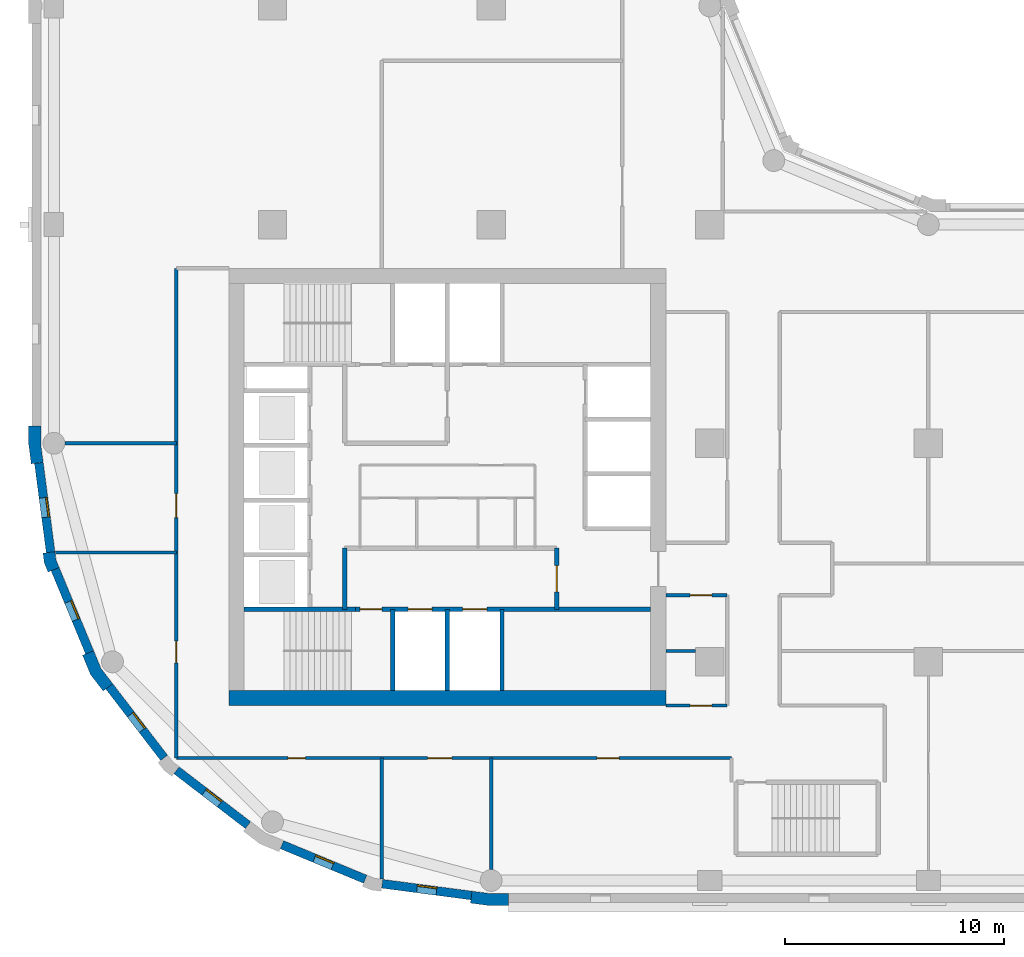
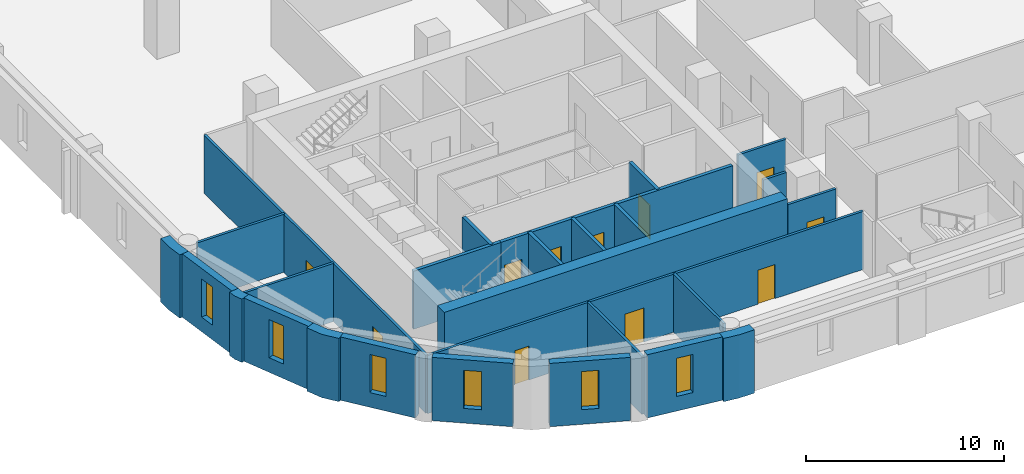
# One storey, part 2 of 9: 27 walls, 11 doors, 6 windows, 17 openings.
"""IFC4 building model written with IfcOpenShell, lengths in metres."""

from ifc_helpers import new_model, si_unit, direction, frame, frame_2d, origin, place, context, subcontext, project, spatial, polyline, rectangle, outline, extrude, material, layer, layer_set, type_object, element, fill, save


model = new_model("IFC4")

# Units and contexts
model_context = context("Model", 3, precision=1e-05, world=origin(), true_north=direction((0.0, 1.0)))
body_context = subcontext(model_context, "Body", "Model", "MODEL_VIEW")
ifc_project = project(units=[si_unit("LENGTHUNIT", "METRE"), si_unit("AREAUNIT", "SQUARE_METRE"), si_unit("VOLUMEUNIT", "CUBIC_METRE"), si_unit("PLANEANGLEUNIT", "RADIAN"), si_unit("MASSUNIT", "GRAM", prefix="KILO")], contexts=[model_context])

# Site, building, storey
site_placement = place(None, origin())
site = spatial("IfcSite", under=ifc_project, at=site_placement, CompositionType="ELEMENT")
building_placement = place(site_placement, origin())
building = spatial("IfcBuilding", under=site, at=building_placement, Name="Qaws Garden Tower", CompositionType="ELEMENT")
storey_placement = place(building_placement, frame((0.0, 0.0, 194.10009765625)))
storey = spatial("IfcBuildingStorey", under=building, at=storey_placement, Name="L47", CompositionType="ELEMENT", Elevation=194.10009765625)

# Wall, opening, window
ifc_material_1 = material(Name="Clay facing brick masonry", Category="masonry")
ifc_layer_1 = layer(ifc_material_1, 0.39990234375)
ifc_layer_set_1 = layer_set([ifc_layer_1], Name="Clay facing brick masonry")
wall_type_1 = type_object("IfcWallType", Name="Brick infill wall 400", PredefinedType="SOLIDWALL", material=ifc_layer_set_1)
wall_1_placement = place(storey_placement, frame((-0.688720703125, 19.102294921875, 0.0), z_axis=(0.0, 0.0, 1.0), x_axis=(0.130514280502, -0.991446429508, 0.0)))
wall_1 = element("IfcWall", 1, at=wall_1_placement, inside=storey, type_object=wall_type_1, Name="E-L47-infill-25", PredefinedType="SOLIDWALL", context=body_context, shape_type="SweptSolid", body=[
    extrude(rectangle(XDim=4.120849609375, YDim=0.39990234375, at=frame_2d((2.060546875, 0.0))), origin(), (0.0, 0.0, 1.0), 3.89990234375),
])
opening_1_placement = place(wall_1_placement, frame((1.610595703125, 0.0, 0.89990234375)))
opening_1 = element("IfcOpeningElement", 2, at=opening_1_placement, cuts=wall_1, Name="Opening W09", PredefinedType="OPENING", context=body_context, shape_type="SweptSolid", body=[
    extrude(rectangle(XDim=0.89990234375, YDim=2.35009765625, at=frame_2d((0.449951171875, 1.175048828125))), frame((0.0, 0.2099609375, 0.0), z_axis=(0.0, -1.0, 0.0), x_axis=(1.0, 0.0, 0.0)), (0.0, 0.0, 1.0), 0.419921875),
])
ifc_material_2 = material(Name="Aluminium framed window, clear glazing", Category="aluminium")
window_type = type_object("IfcWindowType", Name="Slit window 900 x 2350", PartitioningType="SINGLE_PANEL", PredefinedType="WINDOW", material=ifc_material_2)
window_1_placement = place(opening_1_placement, origin())
window_1 = element("IfcWindow", 3, at=window_1_placement, inside=storey, type_object=window_type, Name="E-L47-window-25-0", OverallHeight=2.35009765625, OverallWidth=0.89990234375, PartitioningType="SINGLE_PANEL", PredefinedType="WINDOW", context=body_context, shape_type="SweptSolid", body=[
    extrude(rectangle(XDim=0.89990234375, YDim=2.35009765625, at=frame_2d((0.449951171875, 1.175048828125))), frame((0.0, 0.159912109375, 0.0), z_axis=(0.0, -1.0, 0.0), x_axis=(1.0, 0.0, 0.0)), (0.0, 0.0, 1.0), 0.06005859375),
])
fill(opening_1, window_1)

wall_2_placement = place(storey_placement, frame((0.05712890625, 14.240234375, 0.0), z_axis=(0.0, 0.0, 1.0), x_axis=(0.382721546029, -0.923863744394, 0.0)))
wall_2 = element("IfcWall", 4, at=wall_2_placement, inside=storey, type_object=wall_type_1, Name="E-L47-infill-26", PredefinedType="SOLIDWALL", context=body_context, shape_type="SweptSolid", body=[
    extrude(rectangle(XDim=4.120849609375, YDim=0.39990234375, at=frame_2d((2.060546875, 0.0))), origin(), (0.0, 0.0, 1.0), 3.89990234375),
])
opening_2_placement = place(wall_2_placement, frame((1.610595703125, 0.0, 0.89990234375)))
opening_2 = element("IfcOpeningElement", 5, at=opening_2_placement, cuts=wall_2, Name="Opening W09", PredefinedType="OPENING", context=body_context, shape_type="SweptSolid", body=[
    extrude(rectangle(XDim=0.89990234375, YDim=2.35009765625, at=frame_2d((0.449951171875, 1.175048828125))), frame((0.0, 0.2099609375, 0.0), z_axis=(0.0, -1.0, 0.0), x_axis=(1.0, 0.0, 0.0)), (0.0, 0.0, 1.0), 0.419921875),
])
window_2_placement = place(opening_2_placement, origin())
window_2 = element("IfcWindow", 6, at=window_2_placement, inside=storey, type_object=window_type, Name="E-L47-window-26-0", OverallHeight=2.35009765625, OverallWidth=0.89990234375, PartitioningType="SINGLE_PANEL", PredefinedType="WINDOW", context=body_context, shape_type="SweptSolid", body=[
    extrude(rectangle(XDim=0.89990234375, YDim=2.35009765625, at=frame_2d((0.449951171875, 1.175048828125))), frame((0.0, 0.159912109375, 0.0), z_axis=(0.0, -1.0, 0.0), x_axis=(1.0, 0.0, 0.0)), (0.0, 0.0, 1.0), 0.06005859375),
])
fill(opening_2, window_2)

wall_3_placement = place(storey_placement, frame((2.53173828125, 8.87841796875, 0.0), z_axis=(0.0, 0.0, 1.0), x_axis=(0.608759824817, -0.793354571229, 0.0)))
wall_3 = element("IfcWall", 7, at=wall_3_placement, inside=storey, type_object=wall_type_1, Name="E-L47-infill-27", PredefinedType="SOLIDWALL", context=body_context, shape_type="SweptSolid", body=[
    extrude(rectangle(XDim=4.12109375, YDim=0.39990234375, at=frame_2d((2.060546875, 0.0))), origin(), (0.0, 0.0, 1.0), 3.89990234375),
])
opening_3_placement = place(wall_3_placement, frame((1.610595703125, 0.0, 0.89990234375)))
opening_3 = element("IfcOpeningElement", 8, at=opening_3_placement, cuts=wall_3, Name="Opening W09", PredefinedType="OPENING", context=body_context, shape_type="SweptSolid", body=[
    extrude(rectangle(XDim=0.89990234375, YDim=2.35009765625, at=frame_2d((0.449951171875, 1.175048828125))), frame((0.0, 0.2099609375, 0.0), z_axis=(0.0, -1.0, 0.0), x_axis=(1.0, 0.0, 0.0)), (0.0, 0.0, 1.0), 0.419921875),
])
window_3_placement = place(opening_3_placement, origin())
window_3 = element("IfcWindow", 9, at=window_3_placement, inside=storey, type_object=window_type, Name="E-L47-window-27-0", OverallHeight=2.35009765625, OverallWidth=0.89990234375, PartitioningType="SINGLE_PANEL", PredefinedType="WINDOW", context=body_context, shape_type="SweptSolid", body=[
    extrude(rectangle(XDim=0.89990234375, YDim=2.35009765625, at=frame_2d((0.449951171875, 1.175048828125))), frame((0.0, 0.159912109375, 0.0), z_axis=(0.0, -1.0, 0.0), x_axis=(1.0, 0.0, 0.0)), (0.0, 0.0, 1.0), 0.06005859375),
])
fill(opening_3, window_3)

wall_4_placement = place(storey_placement, frame((5.60888671875, 5.04052734375, 0.0), z_axis=(0.0, 0.0, 1.0), x_axis=(0.793354571229, -0.608759824817, 0.0)))
wall_4 = element("IfcWall", 10, at=wall_4_placement, inside=storey, type_object=wall_type_1, Name="E-L47-infill-28", PredefinedType="SOLIDWALL", context=body_context, shape_type="SweptSolid", body=[
    extrude(rectangle(XDim=4.12109375, YDim=0.39990234375, at=frame_2d((2.060546875, 0.0))), origin(), (0.0, 0.0, 1.0), 3.89990234375),
])
opening_4_placement = place(wall_4_placement, frame((1.610595703125, 0.0, 0.89990234375)))
opening_4 = element("IfcOpeningElement", 11, at=opening_4_placement, cuts=wall_4, Name="Opening W09", PredefinedType="OPENING", context=body_context, shape_type="SweptSolid", body=[
    extrude(rectangle(XDim=0.89990234375, YDim=2.35009765625, at=frame_2d((0.449951171875, 1.175048828125))), frame((0.0, 0.2099609375, 0.0), z_axis=(0.0, -1.0, 0.0), x_axis=(1.0, 0.0, 0.0)), (0.0, 0.0, 1.0), 0.419921875),
])
window_4_placement = place(opening_4_placement, origin())
window_4 = element("IfcWindow", 12, at=window_4_placement, inside=storey, type_object=window_type, Name="E-L47-window-28-0", OverallHeight=2.35009765625, OverallWidth=0.89990234375, PartitioningType="SINGLE_PANEL", PredefinedType="WINDOW", context=body_context, shape_type="SweptSolid", body=[
    extrude(rectangle(XDim=0.89990234375, YDim=2.35009765625, at=frame_2d((0.449951171875, 1.175048828125))), frame((0.0, 0.159912109375, 0.0), z_axis=(0.0, -1.0, 0.0), x_axis=(1.0, 0.0, 0.0)), (0.0, 0.0, 1.0), 0.06005859375),
])
fill(opening_4, window_4)

wall_5_placement = place(storey_placement, frame((10.43310546875, 1.63427734375, 0.0), z_axis=(0.0, 0.0, 1.0), x_axis=(0.923863744394, -0.382721546029, 0.0)))
wall_5 = element("IfcWall", 13, at=wall_5_placement, inside=storey, type_object=wall_type_1, Name="E-L47-infill-29", PredefinedType="SOLIDWALL", context=body_context, shape_type="SweptSolid", body=[
    extrude(rectangle(XDim=4.120849609375, YDim=0.39990234375, at=frame_2d((2.060546875, 0.0))), origin(), (0.0, 0.0, 1.0), 3.89990234375),
])
opening_5_placement = place(wall_5_placement, frame((1.610595703125, 0.0, 0.89990234375)))
opening_5 = element("IfcOpeningElement", 14, at=opening_5_placement, cuts=wall_5, Name="Opening W09", PredefinedType="OPENING", context=body_context, shape_type="SweptSolid", body=[
    extrude(rectangle(XDim=0.89990234375, YDim=2.35009765625, at=frame_2d((0.449951171875, 1.175048828125))), frame((0.0, 0.2099609375, 0.0), z_axis=(0.0, -1.0, 0.0), x_axis=(1.0, 0.0, 0.0)), (0.0, 0.0, 1.0), 0.419921875),
])
window_5_placement = place(opening_5_placement, origin())
window_5 = element("IfcWindow", 15, at=window_5_placement, inside=storey, type_object=window_type, Name="E-L47-window-29-0", OverallHeight=2.35009765625, OverallWidth=0.89990234375, PartitioningType="SINGLE_PANEL", PredefinedType="WINDOW", context=body_context, shape_type="SweptSolid", body=[
    extrude(rectangle(XDim=0.89990234375, YDim=2.35009765625, at=frame_2d((0.449951171875, 1.175048828125))), frame((0.0, 0.159912109375, 0.0), z_axis=(0.0, -1.0, 0.0), x_axis=(1.0, 0.0, 0.0)), (0.0, 0.0, 1.0), 0.06005859375),
])
fill(opening_5, window_5)

wall_6_placement = place(storey_placement, frame((15.0166015625, -0.15087890625, 0.0), z_axis=(0.0, 0.0, 1.0), x_axis=(0.991446429508, -0.130514280502, 0.0)))
wall_6 = element("IfcWall", 16, at=wall_6_placement, inside=storey, type_object=wall_type_1, Name="E-L47-infill-30", PredefinedType="SOLIDWALL", context=body_context, shape_type="SweptSolid", body=[
    extrude(rectangle(XDim=4.120849609375, YDim=0.39990234375, at=frame_2d((2.060546875, 0.0))), origin(), (0.0, 0.0, 1.0), 3.89990234375),
])
opening_6_placement = place(wall_6_placement, frame((1.610595703125, 0.0, 0.89990234375)))
opening_6 = element("IfcOpeningElement", 17, at=opening_6_placement, cuts=wall_6, Name="Opening W09", PredefinedType="OPENING", context=body_context, shape_type="SweptSolid", body=[
    extrude(rectangle(XDim=0.89990234375, YDim=2.35009765625, at=frame_2d((0.449951171875, 1.175048828125))), frame((0.0, 0.2099609375, 0.0), z_axis=(0.0, -1.0, 0.0), x_axis=(1.0, 0.0, 0.0)), (0.0, 0.0, 1.0), 0.419921875),
])
window_6_placement = place(opening_6_placement, origin())
window_6 = element("IfcWindow", 18, at=window_6_placement, inside=storey, type_object=window_type, Name="E-L47-window-30-0", OverallHeight=2.35009765625, OverallWidth=0.89990234375, PartitioningType="SINGLE_PANEL", PredefinedType="WINDOW", context=body_context, shape_type="SweptSolid", body=[
    extrude(rectangle(XDim=0.89990234375, YDim=2.35009765625, at=frame_2d((0.449951171875, 1.175048828125))), frame((0.0, 0.159912109375, 0.0), z_axis=(0.0, -1.0, 0.0), x_axis=(1.0, 0.0, 0.0)), (0.0, 0.0, 1.0), 0.06005859375),
])
fill(opening_6, window_6)

# Walls
ifc_material_3 = material(Name="Clay facing brick masonry", Category="masonry")
ifc_layer_2 = layer(ifc_material_3, 0.550048828125)
ifc_layer_set_2 = layer_set([ifc_layer_2], Name="Clay facing brick masonry")
wall_type_2 = type_object("IfcWallType", Name="Brick kink pier 550 x 600", PredefinedType="SOLIDWALL", material=ifc_layer_set_2)
placement = place(storey_placement, origin())
element("IfcWall", 19, at=placement, inside=storey, type_object=wall_type_2, Name="E-L47-pier-26", PredefinedType="SOLIDWALL", context=body_context, shape_type="SweptSolid", body=[
    extrude(outline(polyline([(-0.34912109375, 14.990478515625), (-0.497802734375, 14.970947265625), (-0.43896484375, 14.5234375), (-0.26611328125, 14.1064453125), (-0.127685546875, 14.163818359375), (0.241943359375, 14.31689453125), (0.096923828125, 14.6669921875), (0.04736328125, 15.042724609375), (-0.34912109375, 14.990478515625)])), origin(), (0.0, 0.0, 1.0), 3.89990234375),
])
ifc_material_4 = material(Name="Clay facing brick masonry", Category="masonry")
ifc_layer_3 = layer(ifc_material_4, 0.550048828125)
ifc_layer_set_3 = layer_set([ifc_layer_3], Name="Clay facing brick masonry")
wall_type_3 = type_object("IfcWallType", Name="Brick pier 550 x 1600", PredefinedType="SOLIDWALL", material=ifc_layer_set_3)
element("IfcWall", 20, at=placement, inside=storey, type_object=wall_type_3, Name="E-L47-pier-00", PredefinedType="SOLIDWALL", context=body_context, shape_type="SweptSolid", body=[
    extrude(outline(polyline([(19.076416015625, -0.886962890625), (19.056640625, -1.03564453125), (19.924560546875, -1.14990234375), (20.800048828125, -1.14990234375), (20.800048828125, -1.0), (20.800048828125, -0.60009765625), (19.960693359375, -0.60009765625), (19.12841796875, -0.490478515625), (19.076416015625, -0.886962890625)])), origin(), (0.0, 0.0, 1.0), 3.89990234375),
])
element("IfcWall", 21, at=placement, inside=storey, type_object=wall_type_3, Name="E-L47-pier-25", PredefinedType="SOLIDWALL", context=body_context, shape_type="SweptSolid", body=[
    extrude(outline(polyline([(-1.0, 20.800048828125), (-1.14990234375, 20.800048828125), (-1.14990234375, 19.924560546875), (-1.03564453125, 19.056640625), (-0.886962890625, 19.076416015625), (-0.490478515625, 19.12841796875), (-0.60009765625, 19.960693359375), (-0.60009765625, 20.800048828125), (-1.0, 20.800048828125)])), origin(), (0.0, 0.0, 1.0), 3.89990234375),
])
element("IfcWall", 22, at=placement, inside=storey, type_object=wall_type_3, Name="E-L47-pier-27", PredefinedType="SOLIDWALL", context=body_context, shape_type="SweptSolid", body=[
    extrude(outline(polyline([(1.449462890625, 10.3564453125), (1.310791015625, 10.299072265625), (1.675048828125, 9.419921875), (2.254150390625, 8.665283203125), (2.373046875, 8.756591796875), (2.6904296875, 9.0), (2.1552734375, 9.697509765625), (1.819091796875, 10.509521484375), (1.449462890625, 10.3564453125)])), origin(), (0.0, 0.0, 1.0), 3.89990234375),
])
ifc_material_5 = material(Name="Concrete C70", Category="concrete")
ifc_layer_4 = layer(ifc_material_5, 0.199951171875)
ifc_layer_set_4 = layer_set([ifc_layer_4], Name="Concrete C70")
wall_type_4 = type_object("IfcWallType", Name="Core shaft wall 200 C70", PredefinedType="SHEAR", material=ifc_layer_set_4)
wall_11_placement = place(storey_placement, frame((8.699951171875, 12.39990234375, 0.0), z_axis=(0.0, 0.0, 1.0), x_axis=(1.0, 0.0, 0.0)))
element("IfcWall", 23, at=wall_11_placement, inside=storey, type_object=wall_type_4, Name="Shaft wall", PredefinedType="SHEAR", context=body_context, shape_type="SweptSolid", body=[
    extrude(rectangle(XDim=5.10009765625, YDim=0.199951171875, at=frame_2d((2.550048828125, 0.0))), origin(), (0.0, 0.0, 1.0), 3.579833984375),
])

# Wall, openings, doors
wall_12_placement = place(storey_placement, frame((13.800048828125, 12.39990234375, 0.0), z_axis=(0.0, 0.0, 1.0), x_axis=(1.0, 0.0, 0.0)))
wall_12 = element("IfcWall", 24, at=wall_12_placement, inside=storey, type_object=wall_type_4, Name="Shaft wall", PredefinedType="SHEAR", context=body_context, shape_type="SweptSolid", body=[
    extrude(rectangle(XDim=13.5, YDim=0.199951171875, at=frame_2d((6.75, 0.0))), origin(), (0.0, 0.0, 1.0), 3.579833984375),
])
opening_7_placement = place(wall_12_placement, frame((2.39990234375, 0.0, 0.0)))
opening_7 = element("IfcOpeningElement", 25, at=opening_7_placement, cuts=wall_12, Name="Opening LD06", PredefinedType="OPENING", context=body_context, shape_type="SweptSolid", body=[
    extrude(rectangle(XDim=1.10009765625, YDim=2.10009765625, at=frame_2d((0.550048828125, 1.050048828125))), frame((0.0, 0.10986328125, 0.0), z_axis=(0.0, -1.0, 0.0), x_axis=(1.0, 0.0, 0.0)), (0.0, 0.0, 1.0), 0.219970703125),
])
opening_8_placement = place(wall_12_placement, frame((4.89990234375, 0.0, 0.0)))
opening_8 = element("IfcOpeningElement", 26, at=opening_8_placement, cuts=wall_12, Name="Opening LD07", PredefinedType="OPENING", context=body_context, shape_type="SweptSolid", body=[
    extrude(rectangle(XDim=1.10009765625, YDim=2.10009765625, at=frame_2d((0.550048828125, 1.050048828125))), frame((0.0, 0.10986328125, 0.0), z_axis=(0.0, -1.0, 0.0), x_axis=(1.0, 0.0, 0.0)), (0.0, 0.0, 1.0), 0.219970703125),
])
opening_9_placement = place(wall_12_placement, frame((0.199951171875, 0.0, 0.0)))
opening_9 = element("IfcOpeningElement", 27, at=opening_9_placement, cuts=wall_12, Name="Opening SD10", PredefinedType="OPENING", context=body_context, shape_type="SweptSolid", body=[
    extrude(rectangle(XDim=1.0, YDim=2.10009765625, at=frame_2d((0.5, 1.050048828125))), frame((0.0, 0.10986328125, 0.0), z_axis=(0.0, -1.0, 0.0), x_axis=(1.0, 0.0, 0.0)), (0.0, 0.0, 1.0), 0.219970703125),
])
ifc_material_6 = material(Name="Steel S235", Category="steel")
door_type_1 = type_object("IfcDoorType", Name="Landing door 1100x2100", OperationType="DOUBLE_DOOR_SLIDING", PredefinedType="DOOR", material=ifc_material_6)
door_1_placement = place(opening_7_placement, origin())
door_1 = element("IfcDoor", 28, at=door_1_placement, inside=storey, type_object=door_type_1, Name="Lift FF1 landing door", OperationType="DOUBLE_DOOR_SLIDING", OverallHeight=2.10009765625, OverallWidth=1.10009765625, PredefinedType="DOOR", context=body_context, shape_type="SweptSolid", body=[
    extrude(rectangle(XDim=1.10009765625, YDim=2.10009765625, at=frame_2d((0.550048828125, 1.050048828125))), frame((0.0, 0.02490234375, 0.0), z_axis=(0.0, -1.0, 0.0), x_axis=(1.0, 0.0, 0.0)), (0.0, 0.0, 1.0), 0.050048828125),
])
fill(opening_7, door_1)
door_2_placement = place(opening_8_placement, origin())
door_2 = element("IfcDoor", 29, at=door_2_placement, inside=storey, type_object=door_type_1, Name="Lift FF2 landing door", OperationType="DOUBLE_DOOR_SLIDING", OverallHeight=2.10009765625, OverallWidth=1.10009765625, PredefinedType="DOOR", context=body_context, shape_type="SweptSolid", body=[
    extrude(rectangle(XDim=1.10009765625, YDim=2.10009765625, at=frame_2d((0.550048828125, 1.050048828125))), frame((0.0, 0.02490234375, 0.0), z_axis=(0.0, -1.0, 0.0), x_axis=(1.0, 0.0, 0.0)), (0.0, 0.0, 1.0), 0.050048828125),
])
fill(opening_8, door_2)
ifc_material_7 = material(Name="Steel S235", Category="steel")
door_type_2 = type_object("IfcDoorType", Name="Stair door 1000x2100", OperationType="SINGLE_SWING_RIGHT", PredefinedType="DOOR", material=ifc_material_7)
door_3_placement = place(opening_9_placement, frame((1.0, 0.0, 0.0), z_axis=(0.0, 0.0, 1.0), x_axis=(-1.0, 0.0, 0.0)))
door_3 = element("IfcDoor", 30, at=door_3_placement, inside=storey, type_object=door_type_2, Name="Stair 1 door", OperationType="SINGLE_SWING_LEFT", OverallHeight=2.10009765625, OverallWidth=1.0, PredefinedType="DOOR", context=body_context, shape_type="SweptSolid", body=[
    extrude(rectangle(XDim=1.0, YDim=2.10009765625, at=frame_2d((0.5, 1.050048828125))), frame((0.0, 0.02490234375, 0.0), z_axis=(0.0, -1.0, 0.0), x_axis=(1.0, 0.0, 0.0)), (0.0, 0.0, 1.0), 0.050048828125),
])
fill(opening_9, door_3)

# Walls
wall_13_placement = place(storey_placement, frame((13.300048828125, 12.39990234375, 0.0), z_axis=(0.0, 0.0, 1.0), x_axis=(0.0, 1.0, 0.0)))
element("IfcWall", 31, at=wall_13_placement, inside=storey, type_object=wall_type_4, Name="Shaft wall", PredefinedType="SHEAR", context=body_context, shape_type="SweptSolid", body=[
    extrude(rectangle(XDim=2.800048828125, YDim=0.199951171875, at=frame_2d((1.39990234375, 0.0))), origin(), (0.0, 0.0, 1.0), 3.579833984375),
])
for number, where, z_axis, x_axis, name in (
    (32, (15.5, 8.699951171875, 0.0), (0.0, 0.0, 1.0), (0.0, 1.0, 0.0), "Shaft wall"),
    (33, (18.0, 8.699951171875, 0.0), (0.0, 0.0, 1.0), (0.0, 1.0, 0.0), "Shaft wall"),
    (34, (20.5, 8.699951171875, 0.0), (0.0, 0.0, 1.0), (0.0, 1.0, 0.0), "Shaft wall"),
):
    element("IfcWall", number, at=place(storey_placement, frame(where, z_axis=z_axis, x_axis=x_axis)), inside=storey, type_object=wall_type_4, Name=name, PredefinedType="SHEAR", context=body_context, shape_type="SweptSolid", body=[
        extrude(rectangle(XDim=3.699951171875, YDim=0.199951171875, at=frame_2d((1.85009765625, 0.0))), origin(), (0.0, 0.0, 1.0), 3.579833984375),
    ])

# Wall, opening, door
wall_14_placement = place(storey_placement, frame((23.0, 12.39990234375, 0.0), z_axis=(0.0, 0.0, 1.0), x_axis=(0.0, 1.0, 0.0)))
wall_14 = element("IfcWall", 35, at=wall_14_placement, inside=storey, type_object=wall_type_4, Name="Shaft wall", PredefinedType="SHEAR", context=body_context, shape_type="SweptSolid", body=[
    extrude(rectangle(XDim=2.800048828125, YDim=0.199951171875, at=frame_2d((1.39990234375, 0.0))), origin(), (0.0, 0.0, 1.0), 3.579833984375),
])
opening_10_placement = place(wall_14_placement, frame((0.800048828125, 0.0, 0.0)))
opening_10 = element("IfcOpeningElement", 36, at=opening_10_placement, cuts=wall_14, Name="Opening FD15", PredefinedType="OPENING", context=body_context, shape_type="SweptSolid", body=[
    extrude(rectangle(XDim=1.199951171875, YDim=2.10009765625, at=frame_2d((0.60009765625, 1.050048828125))), frame((0.0, 0.10986328125, 0.0), z_axis=(0.0, -1.0, 0.0), x_axis=(1.0, 0.0, 0.0)), (0.0, 0.0, 1.0), 0.219970703125),
])
ifc_material_8 = material(Name="Steel S235", Category="steel")
door_type_3 = type_object("IfcDoorType", Name="Lobby door 1200x2100", OperationType="DOUBLE_DOOR_SINGLE_SWING", PredefinedType="DOOR", material=ifc_material_8)
door_4_placement = place(opening_10_placement, origin())
door_4 = element("IfcDoor", 37, at=door_4_placement, inside=storey, type_object=door_type_3, Name="Fire-fighting lobby door", OperationType="DOUBLE_DOOR_SINGLE_SWING", OverallHeight=2.10009765625, OverallWidth=1.199951171875, PredefinedType="DOOR", context=body_context, shape_type="SweptSolid", body=[
    extrude(rectangle(XDim=1.199951171875, YDim=2.10009765625, at=frame_2d((0.60009765625, 1.050048828125))), frame((0.0, 0.02490234375, 0.0), z_axis=(0.0, -1.0, 0.0), x_axis=(1.0, 0.0, 0.0)), (0.0, 0.0, 1.0), 0.050048828125),
])
fill(opening_10, door_4)

# Wall
ifc_material_9 = material(Name="Concrete C70", Category="concrete")
ifc_layer_5 = layer(ifc_material_9, 0.699951171875)
ifc_layer_set_5 = layer_set([ifc_layer_5], Name="Concrete C70")
wall_type_5 = type_object("IfcWallType", Name="Core wall 700 C70", PredefinedType="SHEAR", material=ifc_layer_set_5)
wall_15_placement = place(storey_placement, frame((8.0, 8.35009765625, 0.0), z_axis=(0.0, 0.0, 1.0), x_axis=(1.0, 0.0, 0.0)))
element("IfcWall", 38, at=wall_15_placement, inside=storey, type_object=wall_type_5, Name="Core wall L47 south", PredefinedType="SHEAR", context=body_context, shape_type="SweptSolid", body=[
    extrude(rectangle(XDim=20.0, YDim=0.699951171875, at=frame_2d((10.0, 0.0))), origin(), (0.0, 0.0, 1.0), 3.89990234375),
])

# Wall, openings, doors
ifc_material_10 = material(Name="Gypsum board partition")
ifc_layer_6 = layer(ifc_material_10, 0.14990234375)
ifc_layer_set_6 = layer_set([ifc_layer_6], Name="Gypsum board partition")
wall_type_6 = type_object("IfcWallType", Name="PARTITION 150 EI 60", PredefinedType="PARTITIONING", material=ifc_layer_set_6)
wall_16_placement = place(storey_placement, frame((5.60009765625, 5.60009765625, 0.0), z_axis=(0.0, 0.0, 1.0), x_axis=(0.0, 1.0, 0.0)))
wall_16 = element("IfcWall", 39, at=wall_16_placement, inside=storey, type_object=wall_type_6, Name="O-L47-wall-004", PredefinedType="PARTITIONING", context=body_context, shape_type="SweptSolid", body=[
    extrude(rectangle(XDim=22.39990234375, YDim=0.14990234375, at=frame_2d((11.199951171875, 0.0))), origin(), (0.0, 0.0, 1.0), 3.579833984375),
])
opening_11_placement = place(wall_16_placement, frame((4.35009765625, 0.0, 0.0)))
opening_11 = element("IfcOpeningElement", 40, at=opening_11_placement, cuts=wall_16, Name="Opening B601", PredefinedType="OPENING", context=body_context, shape_type="SweptSolid", body=[
    extrude(rectangle(XDim=1.0, YDim=2.10009765625, at=frame_2d((0.5, 1.050048828125))), frame((0.0, 0.0849609375, 0.0), z_axis=(0.0, -1.0, 0.0), x_axis=(1.0, 0.0, 0.0)), (0.0, 0.0, 1.0), 0.169921875),
])
opening_12_placement = place(wall_16_placement, frame((11.0, 0.0, 0.0)))
opening_12 = element("IfcOpeningElement", 41, at=opening_12_placement, cuts=wall_16, Name="Opening B602", PredefinedType="OPENING", context=body_context, shape_type="SweptSolid", body=[
    extrude(rectangle(XDim=1.10009765625, YDim=2.10009765625, at=frame_2d((0.550048828125, 1.050048828125))), frame((0.0, 0.0849609375, 0.0), z_axis=(0.0, -1.0, 0.0), x_axis=(1.0, 0.0, 0.0)), (0.0, 0.0, 1.0), 0.169921875),
])
ifc_material_11 = material(Name="Timber door leaf", Category="wood")
door_type_4 = type_object("IfcDoorType", Name="SERVICE ROOM DOOR 1100 X 2100", OperationType="SINGLE_SWING_LEFT", PredefinedType="DOOR", material=ifc_material_11)
door_5_placement = place(opening_12_placement, origin())
door_5 = element("IfcDoor", 42, at=door_5_placement, inside=storey, type_object=door_type_4, Name="O-L47-door-002", OperationType="SINGLE_SWING_RIGHT", OverallHeight=2.10009765625, OverallWidth=1.10009765625, PredefinedType="DOOR", context=body_context, shape_type="SweptSolid", body=[
    extrude(rectangle(XDim=1.10009765625, YDim=2.10009765625, at=frame_2d((0.550048828125, 1.050048828125))), frame((0.0, 0.02490234375, 0.0), z_axis=(0.0, -1.0, 0.0), x_axis=(1.0, 0.0, 0.0)), (0.0, 0.0, 1.0), 0.050048828125),
])
fill(opening_12, door_5)
ifc_material_12 = material(Name="Timber door leaf", Category="wood")
door_type_5 = type_object("IfcDoorType", Name="TENANCY ENTRANCE DOOR 1000 X 2100", OperationType="SINGLE_SWING_LEFT", PredefinedType="DOOR", material=ifc_material_12)
door_6_placement = place(opening_11_placement, origin())
door_6 = element("IfcDoor", 43, at=door_6_placement, inside=storey, type_object=door_type_5, Name="O-L47-door-001", OperationType="SINGLE_SWING_RIGHT", OverallHeight=2.10009765625, OverallWidth=1.0, PredefinedType="DOOR", context=body_context, shape_type="SweptSolid", body=[
    extrude(rectangle(XDim=1.0, YDim=2.10009765625, at=frame_2d((0.5, 1.050048828125))), frame((0.0, 0.02490234375, 0.0), z_axis=(0.0, -1.0, 0.0), x_axis=(1.0, 0.0, 0.0)), (0.0, 0.0, 1.0), 0.050048828125),
])
fill(opening_11, door_6)

# Walls
wall_17_placement = place(storey_placement, frame((15.0, 0.06298828125, 0.0), z_axis=(0.0, 0.0, 1.0), x_axis=(0.0, 1.0, 0.0)))
element("IfcWall", 44, at=wall_17_placement, inside=storey, type_object=wall_type_6, Name="O-L47-wall-007", PredefinedType="PARTITIONING", context=body_context, shape_type="SweptSolid", body=[
    extrude(rectangle(XDim=5.537109375, YDim=0.14990234375, at=frame_2d((2.7685546875, 0.0))), origin(), (0.0, 0.0, 1.0), 3.579833984375),
])
wall_18_placement = place(storey_placement, frame((20.0, 0.5, 0.0), z_axis=(0.0, 0.0, 1.0), x_axis=(0.0, 1.0, 0.0)))
element("IfcWall", 45, at=wall_18_placement, inside=storey, type_object=wall_type_6, Name="O-L47-wall-011", PredefinedType="PARTITIONING", context=body_context, shape_type="SweptSolid", body=[
    extrude(rectangle(XDim=5.10009765625, YDim=0.14990234375, at=frame_2d((2.550048828125, 0.0))), origin(), (0.0, 0.0, 1.0), 3.579833984375),
])

# Wall, openings, doors
wall_19_placement = place(storey_placement, frame((5.60009765625, 5.60009765625, 0.0), z_axis=(0.0, 0.0, 1.0), x_axis=(1.0, 0.0, 0.0)))
wall_19 = element("IfcWall", 46, at=wall_19_placement, inside=storey, type_object=wall_type_6, Name="O-L47-wall-027", PredefinedType="PARTITIONING", context=body_context, shape_type="SweptSolid", body=[
    extrude(rectangle(XDim=25.39990234375, YDim=0.14990234375, at=frame_2d((12.699951171875, 0.0))), origin(), (0.0, 0.0, 1.0), 3.579833984375),
])
opening_13_placement = place(wall_19_placement, frame((5.10009765625, 0.0, 0.0)))
opening_13 = element("IfcOpeningElement", 47, at=opening_13_placement, cuts=wall_19, Name="Opening B611", PredefinedType="OPENING", context=body_context, shape_type="SweptSolid", body=[
    extrude(rectangle(XDim=0.800048828125, YDim=2.10009765625, at=frame_2d((0.39990234375, 1.050048828125))), frame((0.0, 0.0849609375, 0.0), z_axis=(0.0, -1.0, 0.0), x_axis=(1.0, 0.0, 0.0)), (0.0, 0.0, 1.0), 0.169921875),
])
opening_14_placement = place(wall_19_placement, frame((11.5, 0.0, 0.0)))
opening_14 = element("IfcOpeningElement", 48, at=opening_14_placement, cuts=wall_19, Name="Opening B614", PredefinedType="OPENING", context=body_context, shape_type="SweptSolid", body=[
    extrude(rectangle(XDim=1.10009765625, YDim=2.10009765625, at=frame_2d((0.550048828125, 1.050048828125))), frame((0.0, 0.0849609375, 0.0), z_axis=(0.0, -1.0, 0.0), x_axis=(1.0, 0.0, 0.0)), (0.0, 0.0, 1.0), 0.169921875),
])
opening_15_placement = place(wall_19_placement, frame((19.25, 0.0, 0.0)))
opening_15 = element("IfcOpeningElement", 49, at=opening_15_placement, cuts=wall_19, Name="Opening B620", PredefinedType="OPENING", context=body_context, shape_type="SweptSolid", body=[
    extrude(rectangle(XDim=1.0, YDim=2.10009765625, at=frame_2d((0.5, 1.050048828125))), frame((0.0, 0.0849609375, 0.0), z_axis=(0.0, -1.0, 0.0), x_axis=(1.0, 0.0, 0.0)), (0.0, 0.0, 1.0), 0.169921875),
])
door_7_placement = place(opening_14_placement, frame((1.10009765625, 0.0, 0.0), z_axis=(0.0, 0.0, 1.0), x_axis=(-1.0, 0.0, 0.0)))
door_7 = element("IfcDoor", 50, at=door_7_placement, inside=storey, type_object=door_type_4, Name="O-L47-door-014", OperationType="SINGLE_SWING_LEFT", OverallHeight=2.10009765625, OverallWidth=1.10009765625, PredefinedType="DOOR", context=body_context, shape_type="SweptSolid", body=[
    extrude(rectangle(XDim=1.10009765625, YDim=2.10009765625, at=frame_2d((0.550048828125, 1.050048828125))), frame((0.0, 0.02490234375, 0.0), z_axis=(0.0, -1.0, 0.0), x_axis=(1.0, 0.0, 0.0)), (0.0, 0.0, 1.0), 0.050048828125),
])
fill(opening_14, door_7)
ifc_material_13 = material(Name="Timber door leaf", Category="wood")
door_type_6 = type_object("IfcDoorType", Name="STORE DOOR 800 X 2100", OperationType="SINGLE_SWING_LEFT", PredefinedType="DOOR", material=ifc_material_13)
door_8_placement = place(opening_13_placement, frame((0.800048828125, 0.0, 0.0), z_axis=(0.0, 0.0, 1.0), x_axis=(-1.0, 0.0, 0.0)))
door_8 = element("IfcDoor", 51, at=door_8_placement, inside=storey, type_object=door_type_6, Name="O-L47-door-011", OperationType="SINGLE_SWING_LEFT", OverallHeight=2.10009765625, OverallWidth=0.800048828125, PredefinedType="DOOR", context=body_context, shape_type="SweptSolid", body=[
    extrude(rectangle(XDim=0.800048828125, YDim=2.10009765625, at=frame_2d((0.39990234375, 1.050048828125))), frame((0.0, 0.02490234375, 0.0), z_axis=(0.0, -1.0, 0.0), x_axis=(1.0, 0.0, 0.0)), (0.0, 0.0, 1.0), 0.050048828125),
])
fill(opening_13, door_8)
door_9_placement = place(opening_15_placement, frame((1.0, 0.0, 0.0), z_axis=(0.0, 0.0, 1.0), x_axis=(-1.0, 0.0, 0.0)))
door_9 = element("IfcDoor", 52, at=door_9_placement, inside=storey, type_object=door_type_5, Name="O-L47-door-020", OperationType="SINGLE_SWING_LEFT", OverallHeight=2.10009765625, OverallWidth=1.0, PredefinedType="DOOR", context=body_context, shape_type="SweptSolid", body=[
    extrude(rectangle(XDim=1.0, YDim=2.10009765625, at=frame_2d((0.5, 1.050048828125))), frame((0.0, 0.02490234375, 0.0), z_axis=(0.0, -1.0, 0.0), x_axis=(1.0, 0.0, 0.0)), (0.0, 0.0, 1.0), 0.050048828125),
])
fill(opening_15, door_9)

# Wall, opening, door
wall_20_placement = place(storey_placement, frame((28.0, 8.0, 0.0), z_axis=(0.0, 0.0, 1.0), x_axis=(1.0, 0.0, 0.0)))
wall_20 = element("IfcWall", 53, at=wall_20_placement, inside=storey, type_object=wall_type_6, Name="O-L47-wall-028", PredefinedType="PARTITIONING", context=body_context, shape_type="SweptSolid", body=[
    extrude(rectangle(XDim=2.800048828125, YDim=0.14990234375, at=frame_2d((1.39990234375, 0.0))), origin(), (0.0, 0.0, 1.0), 3.579833984375),
])
opening_16_placement = place(wall_20_placement, frame((1.10009765625, 0.0, 0.0)))
opening_16 = element("IfcOpeningElement", 54, at=opening_16_placement, cuts=wall_20, Name="Opening B603", PredefinedType="OPENING", context=body_context, shape_type="SweptSolid", body=[
    extrude(rectangle(XDim=1.0, YDim=2.10009765625, at=frame_2d((0.5, 1.050048828125))), frame((0.0, 0.0849609375, 0.0), z_axis=(0.0, -1.0, 0.0), x_axis=(1.0, 0.0, 0.0)), (0.0, 0.0, 1.0), 0.169921875),
])
door_10_placement = place(opening_16_placement, origin())
door_10 = element("IfcDoor", 55, at=door_10_placement, inside=storey, type_object=door_type_5, Name="O-L47-door-003", OperationType="SINGLE_SWING_RIGHT", OverallHeight=2.10009765625, OverallWidth=1.0, PredefinedType="DOOR", context=body_context, shape_type="SweptSolid", body=[
    extrude(rectangle(XDim=1.0, YDim=2.10009765625, at=frame_2d((0.5, 1.050048828125))), frame((0.0, 0.02490234375, 0.0), z_axis=(0.0, -1.0, 0.0), x_axis=(1.0, 0.0, 0.0)), (0.0, 0.0, 1.0), 0.050048828125),
])
fill(opening_16, door_10)

# Wall
wall_21_placement = place(storey_placement, frame((28.0, 10.5, 0.0), z_axis=(0.0, 0.0, 1.0), x_axis=(1.0, 0.0, 0.0)))
element("IfcWall", 56, at=wall_21_placement, inside=storey, type_object=wall_type_6, Name="O-L47-wall-030", PredefinedType="PARTITIONING", context=body_context, shape_type="SweptSolid", body=[
    extrude(rectangle(XDim=1.35009765625, YDim=0.14990234375, at=frame_2d((0.675048828125, 0.0))), origin(), (0.0, 0.0, 1.0), 3.579833984375),
])

# Wall, opening, door
wall_22_placement = place(storey_placement, frame((28.0, 13.050048828125, 0.0), z_axis=(0.0, 0.0, 1.0), x_axis=(1.0, 0.0, 0.0)))
wall_22 = element("IfcWall", 57, at=wall_22_placement, inside=storey, type_object=wall_type_6, Name="O-L47-wall-033", PredefinedType="PARTITIONING", context=body_context, shape_type="SweptSolid", body=[
    extrude(rectangle(XDim=2.800048828125, YDim=0.14990234375, at=frame_2d((1.39990234375, 0.0))), origin(), (0.0, 0.0, 1.0), 3.579833984375),
])
opening_17_placement = place(wall_22_placement, frame((1.10009765625, 0.0, 0.0)))
opening_17 = element("IfcOpeningElement", 58, at=opening_17_placement, cuts=wall_22, Name="Opening B619", PredefinedType="OPENING", context=body_context, shape_type="SweptSolid", body=[
    extrude(rectangle(XDim=1.0, YDim=2.10009765625, at=frame_2d((0.5, 1.050048828125))), frame((0.0, 0.0849609375, 0.0), z_axis=(0.0, -1.0, 0.0), x_axis=(1.0, 0.0, 0.0)), (0.0, 0.0, 1.0), 0.169921875),
])
door_11_placement = place(opening_17_placement, frame((1.0, 0.0, 0.0), z_axis=(0.0, 0.0, 1.0), x_axis=(-1.0, 0.0, 0.0)))
door_11 = element("IfcDoor", 59, at=door_11_placement, inside=storey, type_object=door_type_5, Name="O-L47-door-019", OperationType="SINGLE_SWING_LEFT", OverallHeight=2.10009765625, OverallWidth=1.0, PredefinedType="DOOR", context=body_context, shape_type="SweptSolid", body=[
    extrude(rectangle(XDim=1.0, YDim=2.10009765625, at=frame_2d((0.5, 1.050048828125))), frame((0.0, 0.02490234375, 0.0), z_axis=(0.0, -1.0, 0.0), x_axis=(1.0, 0.0, 0.0)), (0.0, 0.0, 1.0), 0.050048828125),
])
fill(opening_17, door_11)

# Walls
wall_23_placement = place(storey_placement, frame((0.06298828125, 15.0, 0.0), z_axis=(0.0, 0.0, 1.0), x_axis=(1.0, 0.0, 0.0)))
element("IfcWall", 60, at=wall_23_placement, inside=storey, type_object=wall_type_6, Name="O-L47-wall-036", PredefinedType="PARTITIONING", context=body_context, shape_type="SweptSolid", body=[
    extrude(rectangle(XDim=5.537109375, YDim=0.14990234375, at=frame_2d((2.7685546875, 0.0))), origin(), (0.0, 0.0, 1.0), 3.579833984375),
])
wall_24_placement = place(storey_placement, frame((0.5, 20.0, 0.0), z_axis=(0.0, 0.0, 1.0), x_axis=(1.0, 0.0, 0.0)))
element("IfcWall", 61, at=wall_24_placement, inside=storey, type_object=wall_type_6, Name="O-L47-wall-039", PredefinedType="PARTITIONING", context=body_context, shape_type="SweptSolid", body=[
    extrude(rectangle(XDim=5.10009765625, YDim=0.14990234375, at=frame_2d((2.550048828125, 0.0))), origin(), (0.0, 0.0, 1.0), 3.579833984375),
])

save(model, "model.ifc")
